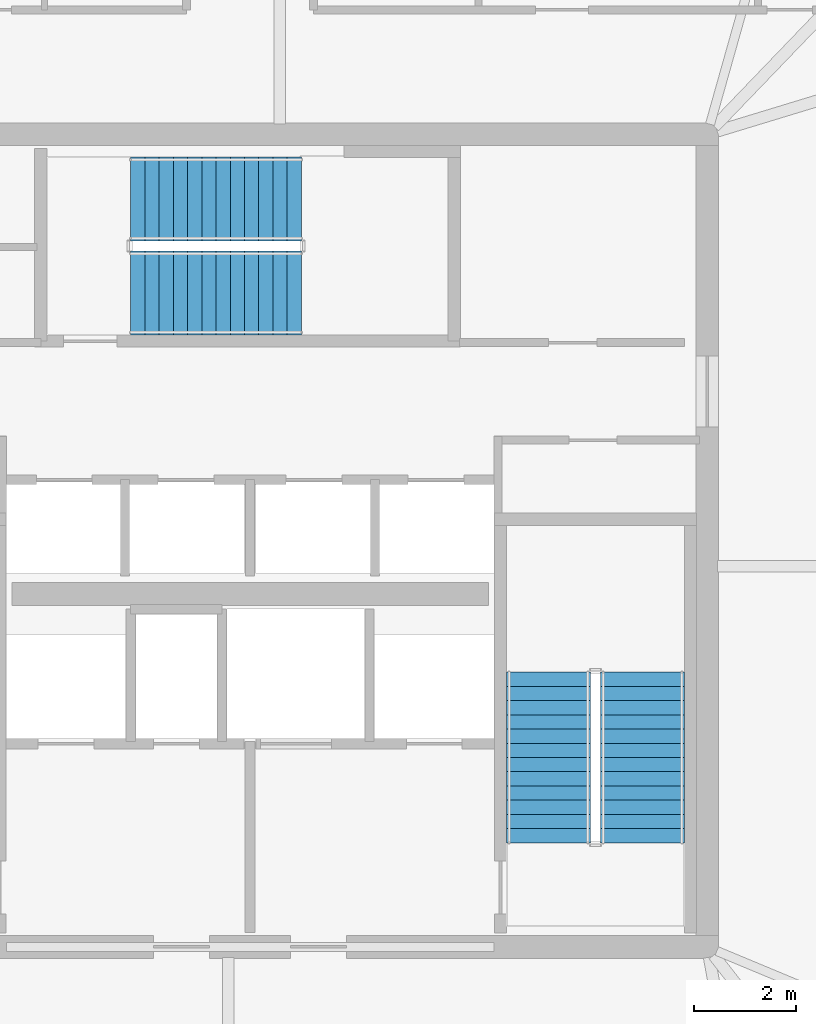
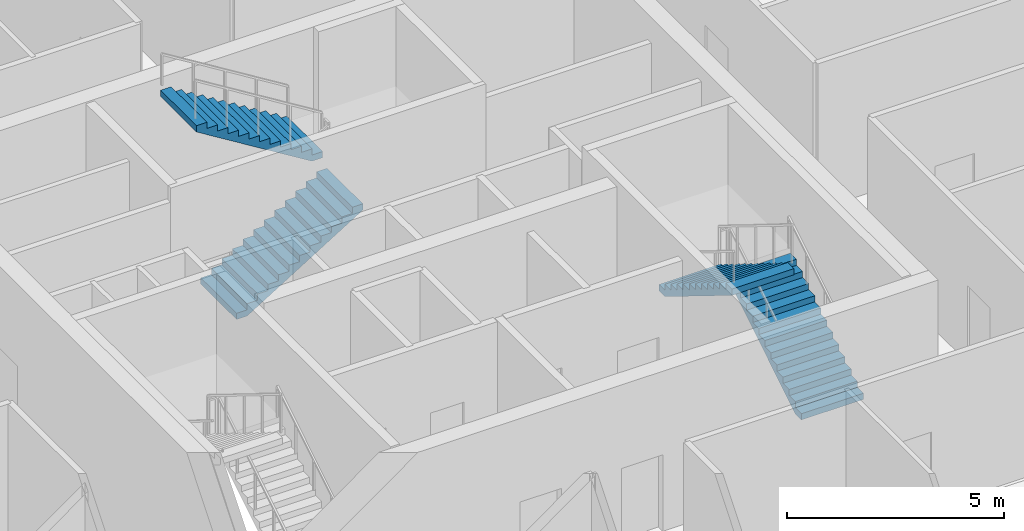
# One storey, part 21 of 24: 4 stair flights, 2 elements without a shape of their own.
"""IFC4 building model written with IfcOpenShell, lengths in metres."""

from ifc_helpers import new_model, si_unit, direction, frame, origin, place, context, subcontext, project, spatial, polyline, outline, extrude, material, type_object, element, aggregate, save


model = new_model("IFC4")

# Units and contexts
model_context = context("Model", 3, precision=1e-05, world=origin(), true_north=direction((0.0, 1.0)))
body_context = subcontext(model_context, "Body", "Model", "MODEL_VIEW")
ifc_project = project(units=[si_unit("LENGTHUNIT", "METRE"), si_unit("AREAUNIT", "SQUARE_METRE"), si_unit("VOLUMEUNIT", "CUBIC_METRE"), si_unit("PLANEANGLEUNIT", "RADIAN"), si_unit("MASSUNIT", "GRAM", prefix="KILO")], contexts=[model_context])

# Site, building, storey
site_placement = place(None, origin())
site = spatial("IfcSite", under=ifc_project, at=site_placement, CompositionType="ELEMENT")
building_placement = place(site_placement, origin())
building = spatial("IfcBuilding", under=site, at=building_placement, Name="Haldenkirk Collegiate Tower", CompositionType="ELEMENT")
storey_placement = place(building_placement, frame((0.0, 0.0, 347.699951171875)))
storey = spatial("IfcBuildingStorey", under=building, at=storey_placement, Name="L88", CompositionType="ELEMENT", Elevation=347.699951171875)

# Stair, stair flights
ifc_material = material(Name="Concrete f'c 40 MPa", Category="concrete")
stair_type = type_object("IfcStairType", Name="STR-DOGLEG-1650", PredefinedType="HALF_TURN_STAIR", material=ifc_material)
stair_1_placement = place(storey_placement, origin())
stair_1 = element("IfcStair", 1, at=stair_1_placement, inside=storey, type_object=stair_type, Name="L88 Core Exit Stair ST-2", PredefinedType="HALF_TURN_STAIR")
stair_flight_type = type_object("IfcStairFlightType", Name="STF-FLIGHT-1650", PredefinedType="STRAIGHT", material=ifc_material)
stair_flight_1_placement = place(storey_placement, frame((43.72509765625, 20.050048828125, 0.0), z_axis=(0.0, 0.0, 1.0), x_axis=(0.0, 1.0, 0.0)))
stair_flight_1 = element("IfcStairFlight", 2, at=stair_flight_1_placement, type_object=stair_flight_type, Name="ST-2 flight 1", NumberOfRisers=13, NumberOfTreads=12, PredefinedType="STRAIGHT", RiserHeight=0.173076923, TreadLength=0.28, context=body_context, shape_type="SweptSolid", body=[
    extrude(outline(polyline([(0.0, 0.0), (0.0, 0.173095703125), (0.280029296875, 0.173095703125), (0.280029296875, 0.34619140625), (0.56005859375, 0.34619140625), (0.56005859375, 0.519287109375), (0.840087890625, 0.519287109375), (0.840087890625, 0.6923828125), (1.1201171875, 0.6923828125), (1.1201171875, 0.865478515625), (1.39990234375, 0.865478515625), (1.39990234375, 1.03857421875), (1.679931640625, 1.03857421875), (1.679931640625, 1.21142578125), (1.9599609375, 1.21142578125), (1.9599609375, 1.384521484375), (2.239990234375, 1.384521484375), (2.239990234375, 1.5576171875), (2.52001953125, 1.5576171875), (2.52001953125, 1.730712890625), (2.800048828125, 1.730712890625), (2.800048828125, 1.90380859375), (3.080078125, 1.90380859375), (3.080078125, 2.076904296875), (3.360107421875, 2.076904296875), (3.360107421875, 2.25), (3.360107421875, 1.900634765625), (0.28515625, 0.0), (0.0, 0.0)])), frame((0.0, 0.824951171875, 0.0), z_axis=(0.0, -1.0, 0.0), x_axis=(1.0, 0.0, 0.0)), (0.0, 0.0, 1.0), 1.64990234375),
])
stair_flight_2_placement = place(storey_placement, frame((41.875, 23.409912109375, 2.25), z_axis=(0.0, 0.0, 1.0), x_axis=(0.0, -1.0, 0.0)))
stair_flight_2 = element("IfcStairFlight", 3, at=stair_flight_2_placement, type_object=stair_flight_type, Name="ST-2 flight 2", NumberOfRisers=13, NumberOfTreads=12, PredefinedType="STRAIGHT", RiserHeight=0.173076923, TreadLength=0.28, context=body_context, shape_type="SweptSolid", body=[
    extrude(outline(polyline([(0.0, 0.0), (0.0, 0.173095703125), (0.280029296875, 0.173095703125), (0.280029296875, 0.34619140625), (0.56005859375, 0.34619140625), (0.56005859375, 0.519287109375), (0.840087890625, 0.519287109375), (0.840087890625, 0.6923828125), (1.1201171875, 0.6923828125), (1.1201171875, 0.865478515625), (1.39990234375, 0.865478515625), (1.39990234375, 1.03857421875), (1.679931640625, 1.03857421875), (1.679931640625, 1.21142578125), (1.9599609375, 1.21142578125), (1.9599609375, 1.384521484375), (2.239990234375, 1.384521484375), (2.239990234375, 1.5576171875), (2.52001953125, 1.5576171875), (2.52001953125, 1.730712890625), (2.800048828125, 1.730712890625), (2.800048828125, 1.90380859375), (3.080078125, 1.90380859375), (3.080078125, 2.076904296875), (3.360107421875, 2.076904296875), (3.360107421875, 2.25), (3.360107421875, 1.900634765625), (0.28515625, 0.0), (0.0, 0.0)])), frame((0.0, 0.824951171875, 0.0), z_axis=(0.0, -1.0, 0.0), x_axis=(1.0, 0.0, 0.0)), (0.0, 0.0, 1.0), 1.64990234375),
])
aggregate(stair_1, [stair_flight_1, stair_flight_2])

stair_2_placement = place(storey_placement, origin())
stair_2 = element("IfcStair", 4, at=stair_2_placement, inside=storey, type_object=stair_type, Name="L88 Core Exit Stair ST-3", PredefinedType="HALF_TURN_STAIR")
stair_flight_3_placement = place(storey_placement, frame((33.64990234375, 30.875, 0.0), z_axis=(0.0, 0.0, 1.0), x_axis=(1.0, 0.0, 0.0)))
stair_flight_3 = element("IfcStairFlight", 5, at=stair_flight_3_placement, type_object=stair_flight_type, Name="ST-3 flight 1", NumberOfRisers=13, NumberOfTreads=12, PredefinedType="STRAIGHT", RiserHeight=0.173076923, TreadLength=0.28, context=body_context, shape_type="SweptSolid", body=[
    extrude(outline(polyline([(0.0, 0.0), (0.0, 0.173095703125), (0.280029296875, 0.173095703125), (0.280029296875, 0.34619140625), (0.56005859375, 0.34619140625), (0.56005859375, 0.519287109375), (0.840087890625, 0.519287109375), (0.840087890625, 0.6923828125), (1.1201171875, 0.6923828125), (1.1201171875, 0.865478515625), (1.39990234375, 0.865478515625), (1.39990234375, 1.03857421875), (1.679931640625, 1.03857421875), (1.679931640625, 1.21142578125), (1.9599609375, 1.21142578125), (1.9599609375, 1.384521484375), (2.239990234375, 1.384521484375), (2.239990234375, 1.5576171875), (2.52001953125, 1.5576171875), (2.52001953125, 1.730712890625), (2.800048828125, 1.730712890625), (2.800048828125, 1.90380859375), (3.080078125, 1.90380859375), (3.080078125, 2.076904296875), (3.360107421875, 2.076904296875), (3.360107421875, 2.25), (3.360107421875, 1.900634765625), (0.28515625, 0.0), (0.0, 0.0)])), frame((0.0, 0.824951171875, 0.0), z_axis=(0.0, -1.0, 0.0), x_axis=(1.0, 0.0, 0.0)), (0.0, 0.0, 1.0), 1.64990234375),
])
stair_flight_4_placement = place(storey_placement, frame((37.010009765625, 32.72509765625, 2.25), z_axis=(0.0, 0.0, 1.0), x_axis=(-1.0, 0.0, 0.0)))
stair_flight_4 = element("IfcStairFlight", 6, at=stair_flight_4_placement, type_object=stair_flight_type, Name="ST-3 flight 2", NumberOfRisers=13, NumberOfTreads=12, PredefinedType="STRAIGHT", RiserHeight=0.173076923, TreadLength=0.28, context=body_context, shape_type="SweptSolid", body=[
    extrude(outline(polyline([(0.0, 0.0), (0.0, 0.173095703125), (0.280029296875, 0.173095703125), (0.280029296875, 0.34619140625), (0.56005859375, 0.34619140625), (0.56005859375, 0.519287109375), (0.840087890625, 0.519287109375), (0.840087890625, 0.6923828125), (1.1201171875, 0.6923828125), (1.1201171875, 0.865478515625), (1.39990234375, 0.865478515625), (1.39990234375, 1.03857421875), (1.679931640625, 1.03857421875), (1.679931640625, 1.21142578125), (1.9599609375, 1.21142578125), (1.9599609375, 1.384521484375), (2.239990234375, 1.384521484375), (2.239990234375, 1.5576171875), (2.52001953125, 1.5576171875), (2.52001953125, 1.730712890625), (2.800048828125, 1.730712890625), (2.800048828125, 1.90380859375), (3.080078125, 1.90380859375), (3.080078125, 2.076904296875), (3.360107421875, 2.076904296875), (3.360107421875, 2.25), (3.360107421875, 1.900634765625), (0.28515625, 0.0), (0.0, 0.0)])), frame((0.0, 0.824951171875, 0.0), z_axis=(0.0, -1.0, 0.0), x_axis=(1.0, 0.0, 0.0)), (0.0, 0.0, 1.0), 1.64990234375),
])
aggregate(stair_2, [stair_flight_3, stair_flight_4])

save(model, "model.ifc")
